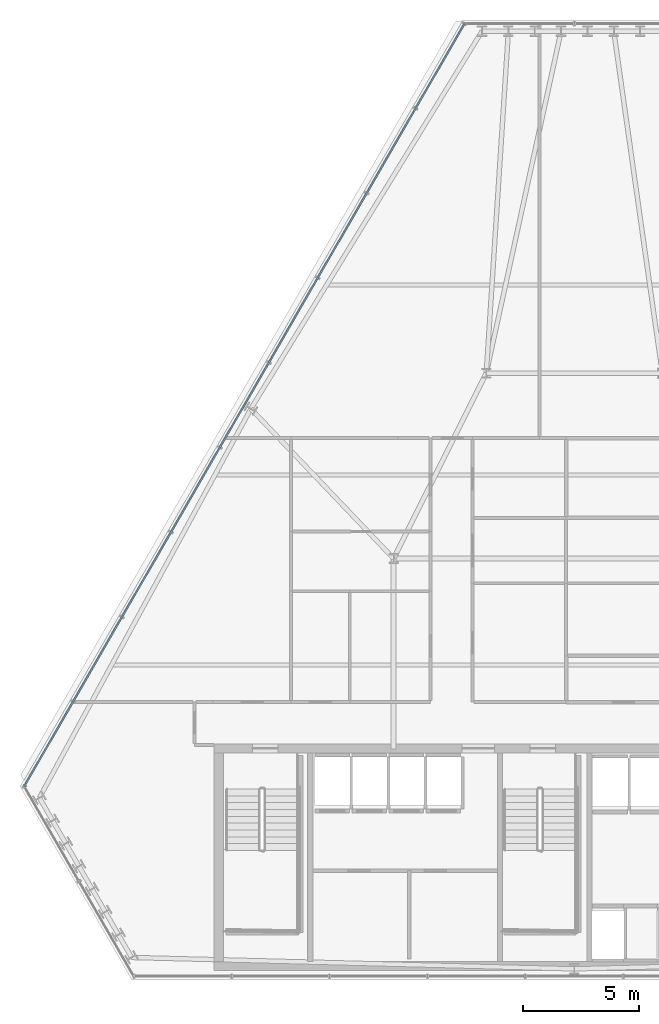
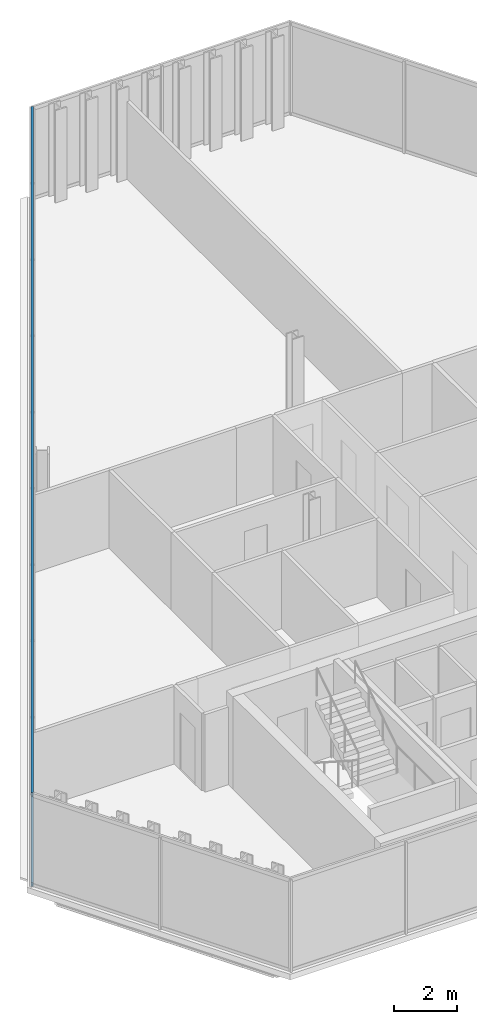
# One storey, part 11 of 33: 2 members, 1 element without a shape of its own.
"""IFC4 building model written with IfcOpenShell, lengths in metres."""

import ifcopenshell
import ifcopenshell.guid

model = None  # the IFC model being written
_history = None  # IfcOwnerHistory: only IFC2X3 demands one
_inside = {}  # id of a spatial element -> (the spatial element, [elements in it])
_under = {}  # id of a project, library or spatial element -> (it, [spatial elements below it])
_declared = {}  # id of a project -> (the project, [libraries it declares])
_typed = {}  # id of a type object -> (the type object, [elements of that type])
_made_of = {}  # id of a material, layer set ... -> (it, [elements and type objects made of it])


def new_model(schema):
    """Start an empty IFC model of exactly this schema.

    Asked for "IFC4X3", IfcOpenShell would pick the latest addendum, in which some entities
    have other attributes; the version numbers below select the first issue.
    IFC2X3 requires an IfcOwnerHistory on every rooted entity: one is made here for all.
    """
    global model, _history
    if schema == "IFC4X3":
        model = ifcopenshell.file(schema_version=(4, 3, 0, 0))
    else:
        model = ifcopenshell.file(schema=schema)
    _inside.clear()
    _under.clear()
    _declared.clear()
    _typed.clear()
    _made_of.clear()
    _history = None
    if model.schema == "IFC2X3":
        org = make("IfcOrganization", Name="unknown")
        user = make(
            "IfcPersonAndOrganization",
            ThePerson=make("IfcPerson", FamilyName="unknown"),
            TheOrganization=org,
        )
        app = make(
            "IfcApplication",
            ApplicationDeveloper=org,
            Version="unknown",
            ApplicationFullName="unknown",
            ApplicationIdentifier="unknown",
        )
        _history = make(
            "IfcOwnerHistory",
            OwningUser=user,
            OwningApplication=app,
            ChangeAction="ADDED",
            CreationDate=0,
        )
    return model


def make(cls, **values):
    """One entity of the class cls with the attributes given. An attribute that is None is left unset."""
    return model.create_entity(
        cls, **{name: value for name, value in values.items() if value is not None}
    )


def rooted(cls, **values):
    """An entity with a GlobalId (a new one), such as an element, a storey or a relation."""
    return make(cls, GlobalId=ifcopenshell.guid.new(), OwnerHistory=_history, **values)


def si_unit(unit_type, name, prefix=None):
    """IfcSIUnit, for example si_unit("LENGTHUNIT", "METRE", prefix="MILLI")."""
    return make("IfcSIUnit", UnitType=unit_type, Prefix=prefix, Name=name)


def assignment(units):
    """IfcUnitAssignment: the units of a project."""
    return None if units is None else make("IfcUnitAssignment", Units=units)


def point(xyz):
    """IfcCartesianPoint."""
    return None if xyz is None else make("IfcCartesianPoint", Coordinates=xyz)


def direction(xyz):
    """IfcDirection."""
    return None if xyz is None else make("IfcDirection", DirectionRatios=xyz)


def frame(location, z_axis=None, x_axis=None):
    """IfcAxis2Placement3D, a coordinate frame: its origin and axes. An axis left out is left unset."""
    return make(
        "IfcAxis2Placement3D",
        Location=point(location),
        Axis=direction(z_axis),
        RefDirection=direction(x_axis),
    )


def frame_2d(location, x_axis=None):
    """IfcAxis2Placement2D, a coordinate frame in the plane: its origin and x axis."""
    return make(
        "IfcAxis2Placement2D", Location=point(location), RefDirection=direction(x_axis)
    )


def origin():
    """The frame at (0, 0, 0) with its axes left unset."""
    return frame((0.0, 0.0, 0.0))


def origin_2d():
    """The frame at (0, 0) in the plane with its x axis left unset."""
    return frame_2d((0.0, 0.0))


def place(relative_to, where):
    """IfcLocalPlacement: puts the frame where relative to a parent placement (None: the world)."""
    return make(
        "IfcLocalPlacement", PlacementRelTo=relative_to, RelativePlacement=where
    )


def context(
    kind, dimensions, precision=None, world=None, true_north=None, identifier=None
):
    """IfcGeometricRepresentationContext, for example the 3D "Model" context."""
    return make(
        "IfcGeometricRepresentationContext",
        ContextIdentifier=identifier,
        ContextType=kind,
        CoordinateSpaceDimension=dimensions,
        Precision=precision,
        WorldCoordinateSystem=world,
        TrueNorth=true_north,
    )


def subcontext(parent, identifier, kind, view, scale=None):
    """IfcGeometricRepresentationSubContext, for example "Body" below "Model"."""
    return make(
        "IfcGeometricRepresentationSubContext",
        ContextIdentifier=identifier,
        ContextType=kind,
        ParentContext=parent,
        TargetScale=scale,
        TargetView=view,
    )


def project(units=None, contexts=None):
    """IfcProject with its units and contexts."""
    return rooted(
        "IfcProject",
        Name="project",
        RepresentationContexts=contexts,
        UnitsInContext=assignment(units),
    )


def spatial(cls, under=None, at=None, **own):
    """A site, building, storey or space (cls), placed at a placement, below another one or the project."""
    s = rooted(cls, ObjectPlacement=at, **own)
    if under is not None:
        _under.setdefault(under.id(), (under, []))[1].append(s)
    return s


def profile(cls, at=None, kind="AREA", **sizes):
    """A parametric profile (cls). Its sizes go by their IFC names, for example OverallWidth=200.0."""
    return make(cls, ProfileType=kind, Position=at, **sizes)


def hollow_rectangle(**sizes):
    """IfcRectangleHollowProfileDef."""
    return profile("IfcRectangleHollowProfileDef", **sizes)


def extrude(swept, where, along, depth):
    """IfcExtrudedAreaSolid: the profile swept, set in the frame where, extruded along a direction by depth."""
    return make(
        "IfcExtrudedAreaSolid",
        SweptArea=swept,
        Position=where,
        ExtrudedDirection=direction(along),
        Depth=depth,
    )


def shape(context_of_items, identifier, shape_type, items):
    """IfcShapeRepresentation: the items that make up one representation, for example the "Body"."""
    return make(
        "IfcShapeRepresentation",
        ContextOfItems=context_of_items,
        RepresentationIdentifier=identifier,
        RepresentationType=shape_type,
        Items=items,
    )


def material(Name=None, Category=None):
    """IfcMaterial."""
    return make("IfcMaterial", Name=Name, Category=Category)


def layer(
    of_material, thickness, ventilated=None, Name=None, Category=None, Priority=None
):
    """IfcMaterialLayer: one layer of a wall or slab, of a material (None: an air gap)."""
    return make(
        "IfcMaterialLayer",
        Material=of_material,
        LayerThickness=thickness,
        IsVentilated=ventilated,
        Name=Name,
        Category=Category,
        Priority=Priority,
    )


def layer_set(layers, Name=None):
    """IfcMaterialLayerSet."""
    return make("IfcMaterialLayerSet", MaterialLayers=layers, LayerSetName=Name)


def material_profile(
    of_material, cross_section, Name=None, Category=None, Priority=None
):
    """IfcMaterialProfile: a cross section and its material."""
    return make(
        "IfcMaterialProfile",
        Name=Name,
        Material=of_material,
        Profile=cross_section,
        Priority=Priority,
        Category=Category,
    )


def profile_set(profiles, Name=None, composite=None):
    """IfcMaterialProfileSet."""
    return make(
        "IfcMaterialProfileSet",
        Name=Name,
        MaterialProfiles=profiles,
        CompositeProfile=composite,
    )


def made_of(thing, what):
    """Note that an element or type object is made of a material, layer set ...; save() writes the relation."""
    if what is not None:
        _made_of.setdefault(what.id(), (what, []))[1].append(thing)
    return thing


def type_object(cls, material=None, **own):
    """A type object (cls), such as IfcWallType, which elements share."""
    return made_of(rooted(cls, **own), material)


def element(
    cls,
    number,
    at=None,
    inside=None,
    cuts=None,
    type_object=None,
    material=None,
    context=None,
    identifier="Body",
    shape_type=None,
    held_by="IfcProductDefinitionShape",
    body=None,
    shapes=None,
    **own,
):
    """One element of the class cls, such as IfcWall. Its Tag is "e" and its number.

    at: its placement. inside: the storey or other place that contains it. cuts: it is an
    opening in that element (IfcRelVoidsElement). A single representation is given by context,
    identifier, shape_type and body (its items); several are given by shapes. held_by: the class
    of the entity that holds the representations. save() writes the other relations.
    """
    e = rooted(cls, Tag="e%d" % number, ObjectPlacement=at, **own)
    if body is not None:
        shapes = [shape(context, identifier, shape_type, body)]
    if shapes is not None:
        e.Representation = make(held_by, Representations=shapes)
    if inside is not None:
        _inside.setdefault(inside.id(), (inside, []))[1].append(e)
    if cuts is not None:
        rooted(
            "IfcRelVoidsElement", RelatingBuildingElement=cuts, RelatedOpeningElement=e
        )
    if type_object is not None:
        _typed.setdefault(type_object.id(), (type_object, []))[1].append(e)
    return made_of(e, material)


def aggregate(whole, parts):
    """IfcRelAggregates: a whole, such as a stair, and the parts it consists of."""
    return rooted("IfcRelAggregates", RelatingObject=whole, RelatedObjects=parts)


def save(model, path):
    """Write the relations noted so far, then the file.

    IfcRelAggregates (storeys below a building ...), IfcRelContainedInSpatialStructure (elements
    in a storey), IfcRelDefinesByType, IfcRelAssociatesMaterial and IfcRelDeclares: one each for
    every whole, place, type object, material and project.
    """
    for whole, parts in _under.values():
        aggregate(whole, parts)
    for where, things in _inside.values():
        rooted(
            "IfcRelContainedInSpatialStructure",
            RelatedElements=things,
            RelatingStructure=where,
        )
    for kind, things in _typed.values():
        rooted("IfcRelDefinesByType", RelatedObjects=things, RelatingType=kind)
    for what, things in _made_of.values():
        rooted("IfcRelAssociatesMaterial", RelatedObjects=things, RelatingMaterial=what)
    for by, libraries in _declared.values():
        rooted("IfcRelDeclares", RelatingContext=by, RelatedDefinitions=libraries)
    model.write(path)


model = new_model("IFC4")

# Units and contexts
model_context = context("Model", 3, precision=1e-05, world=origin(), true_north=direction((0.0, 1.0)))
body_context = subcontext(model_context, "Body", "Model", "MODEL_VIEW")
ifc_project = project(units=[si_unit("LENGTHUNIT", "METRE"), si_unit("AREAUNIT", "SQUARE_METRE"), si_unit("VOLUMEUNIT", "CUBIC_METRE"), si_unit("PLANEANGLEUNIT", "RADIAN"), si_unit("MASSUNIT", "GRAM", prefix="KILO")], contexts=[model_context])

# Site, building, storey
site_placement = place(None, origin())
site = spatial("IfcSite", under=ifc_project, at=site_placement, CompositionType="ELEMENT")
building_placement = place(site_placement, origin())
building = spatial("IfcBuilding", under=site, at=building_placement, Name="Ndaravel Arena Tower", CompositionType="ELEMENT")
storey_placement = place(building_placement, frame((0.0, 0.0, 184.0)))
storey = spatial("IfcBuildingStorey", under=building, at=storey_placement, Name="L44", CompositionType="ELEMENT", Elevation=184.0)

# Curtain wall, members
ifc_material_1 = material(Name="Aluminium", Category="aluminium")
ifc_layer = layer(ifc_material_1, 0.179931640625)
ifc_layer_set = layer_set([ifc_layer], Name="Aluminium")
curtain_wall_type = type_object("IfcCurtainWallType", Name="CW-SYS-03", PredefinedType="NOTDEFINED", material=ifc_layer_set)
curtain_wall_placement = place(storey_placement, origin())
curtain_wall = element("IfcCurtainWall", 1, at=curtain_wall_placement, inside=storey, type_object=curtain_wall_type, Name="L44 Faceted Crystal Curtain Wall CW-L44-E05", PredefinedType="NOTDEFINED")
ifc_material_2 = material(Name="Aluminium", Category="aluminium")
ifc_material_profile = material_profile(ifc_material_2, hollow_rectangle(XDim=0.074951171875, YDim=0.14990234375, WallThickness=0.00390625, at=origin_2d()), Name="CW TRANSOM 75x150x4")
ifc_profile_set = profile_set([ifc_material_profile], Name="Aluminium")
member_type = type_object("IfcMemberType", Name="MEM-CW-TRN150", PredefinedType="USERDEFINED", material=ifc_profile_set)
member_1_placement = place(storey_placement, frame((37.26611328125, 46.29248046875, 0.0400390625), z_axis=(-0.499999580071, -0.866025646231, 0.0), x_axis=(0.866025646231, -0.499999580071, 0.0)))
member_1 = element("IfcMember", 2, at=member_1_placement, type_object=member_type, Name="CW-L44-E05 Transom 01", ObjectType="TRANSOM", PredefinedType="USERDEFINED", context=body_context, shape_type="SweptSolid", body=[
    extrude(hollow_rectangle(XDim=0.074951171875, YDim=0.14990234375, WallThickness=0.00390625, at=origin_2d()), origin(), (0.0, 0.0, 1.0), 38.02783203125),
])
member_2_placement = place(storey_placement, frame((37.26611328125, 46.29248046875, 3.5400390625), z_axis=(-0.499999580071, -0.866025646231, 0.0), x_axis=(0.866025646231, -0.499999580071, 0.0)))
member_2 = element("IfcMember", 3, at=member_2_placement, type_object=member_type, Name="CW-L44-E05 Transom 02", ObjectType="TRANSOM", PredefinedType="USERDEFINED", context=body_context, shape_type="SweptSolid", body=[
    extrude(hollow_rectangle(XDim=0.074951171875, YDim=0.14990234375, WallThickness=0.00390625, at=origin_2d()), origin(), (0.0, 0.0, 1.0), 38.02783203125),
])
aggregate(curtain_wall, [member_1, member_2])

save(model, "model.ifc")
